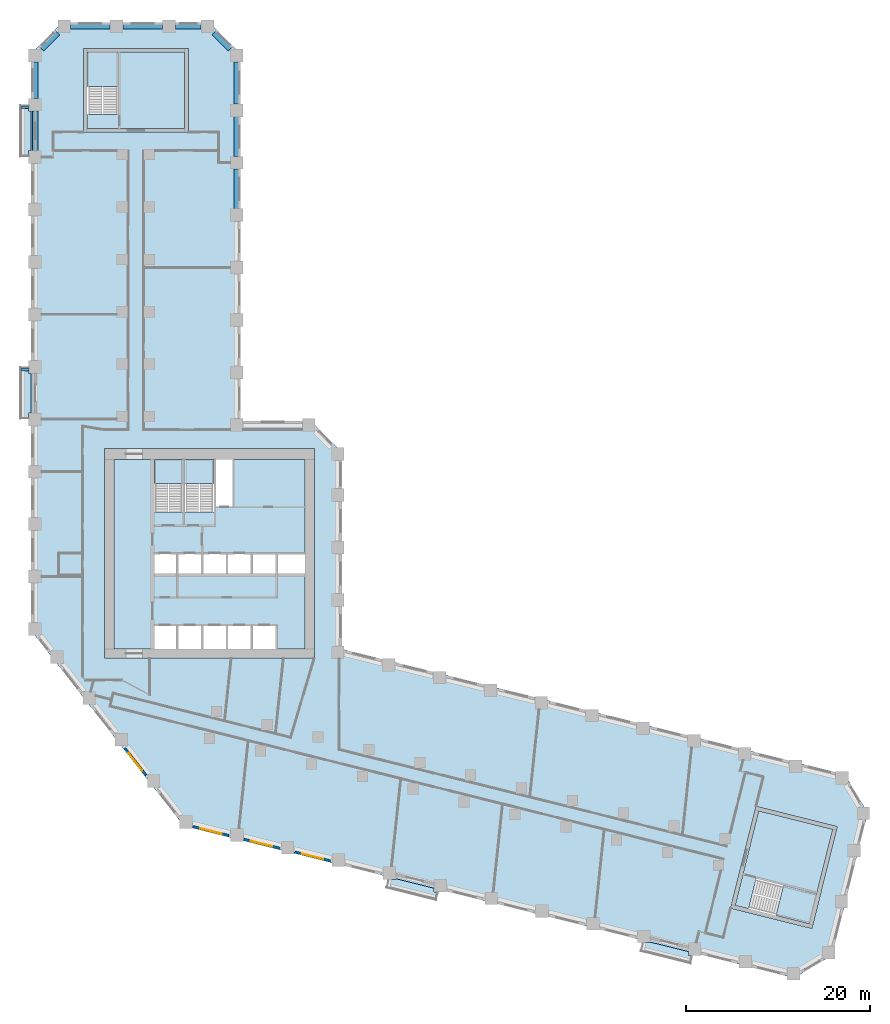
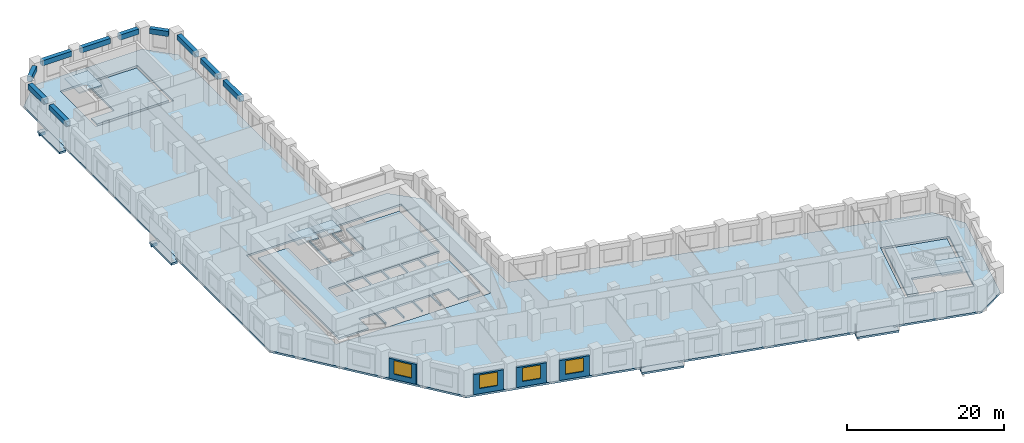
# One storey, part 2 of 11: 12 beams, 12 slabs, 4 walls, 4 windows, 4 openings, 4 elements without a shape of their own.
"""IFC4 building model written with IfcOpenShell, lengths in metres."""

from ifc_helpers import new_model, si_unit, direction, frame, frame_2d, origin, origin_2d, place, context, subcontext, project, spatial, polyline, rectangle, outline, extrude, material, layer, layer_set, material_profile, profile_set, type_object, element, fill, aggregate, save


model = new_model("IFC4")

# Units and contexts
model_context = context("Model", 3, precision=1e-05, world=origin(), true_north=direction((0.0, 1.0)))
body_context = subcontext(model_context, "Body", "Model", "MODEL_VIEW")
ifc_project = project(units=[si_unit("LENGTHUNIT", "METRE"), si_unit("AREAUNIT", "SQUARE_METRE"), si_unit("VOLUMEUNIT", "CUBIC_METRE"), si_unit("PLANEANGLEUNIT", "RADIAN"), si_unit("MASSUNIT", "GRAM", prefix="KILO")], contexts=[model_context])

# Site, building, storey
site_placement = place(None, origin())
site = spatial("IfcSite", under=ifc_project, at=site_placement, CompositionType="ELEMENT")
building_placement = place(site_placement, origin())
building = spatial("IfcBuilding", under=site, at=building_placement, Name="Meshkara Civic Tower", CompositionType="ELEMENT")
storey_placement = place(building_placement, frame((0.0, 0.0, 54.0)))
storey = spatial("IfcBuildingStorey", under=building, at=storey_placement, Name="L11", CompositionType="ELEMENT", Elevation=54.0)

# Beams
ifc_material_1 = material(Name="Concrete C50", Category="concrete")
ifc_material_profile_1 = material_profile(ifc_material_1, rectangle(XDim=0.25, YDim=0.39990234375, at=origin_2d()))
ifc_profile_set_1 = profile_set([ifc_material_profile_1], Name="Concrete C50")
beam_type_1 = type_object("IfcBeamType", Name="Balcony bracket beam RC 250x400 C50", PredefinedType="BEAM", material=ifc_profile_set_1)
for number, where, z_axis, x_axis, name in (
    (1, (-0.2451171875, 73.955078125, -0.5), (-1.0, 0.0, 0.0), (0.0, -1.0, 0.0), "Balcony bracket beam"),
    (2, (-0.2451171875, 45.455078125, -0.5), (-1.0, 0.0, 0.0), (0.0, -1.0, 0.0), "Balcony bracket beam"),
):
    element("IfcBeam", number, at=place(storey_placement, frame(where, z_axis=z_axis, x_axis=x_axis)), inside=storey, type_object=beam_type_1, Name=name, PredefinedType="BEAM", context=body_context, shape_type="SweptSolid", body=[
        extrude(rectangle(XDim=0.25, YDim=0.39990234375, at=origin_2d()), origin(), (0.0, 0.0, 1.0), 0.85498046875),
    ])
ifc_material_2 = material(Name="Concrete C70", Category="concrete")
ifc_material_profile_2 = material_profile(ifc_material_2, rectangle(XDim=0.60009765625, YDim=0.800048828125, at=origin_2d()))
ifc_profile_set_2 = profile_set([ifc_material_profile_2], Name="Concrete C70")
beam_type_2 = type_object("IfcBeamType", Name="Spandrel beam RC 600x800 C70", PredefinedType="BEAM", material=ifc_profile_set_2)
beam_1_placement = place(storey_placement, frame((22.35009765625, 62.945068359375, 3.5), z_axis=(0.0, 1.0, 0.0), x_axis=(-1.0, 0.0, 0.0)))
element("IfcBeam", 3, at=beam_1_placement, inside=storey, type_object=beam_type_2, Name="Spandrel beam AE04-AE05", PredefinedType="BEAM", context=body_context, shape_type="SweptSolid", body=[
    extrude(rectangle(XDim=0.60009765625, YDim=0.800048828125, at=origin_2d()), origin(), (0.0, 0.0, 1.0), 4.309814453125),
])
beam_2_placement = place(storey_placement, frame((22.35009765625, 68.64501953125, 3.5), z_axis=(0.0, 1.0, 0.0), x_axis=(-1.0, 0.0, 0.0)))
element("IfcBeam", 4, at=beam_2_placement, inside=storey, type_object=beam_type_2, Name="Spandrel beam AE05-AE06", PredefinedType="BEAM", context=body_context, shape_type="SweptSolid", body=[
    extrude(rectangle(XDim=0.60009765625, YDim=0.800048828125, at=origin_2d()), origin(), (0.0, 0.0, 1.0), 4.31005859375),
])
beam_3_placement = place(storey_placement, frame((22.35009765625, 74.344970703125, 3.5), z_axis=(0.0, 1.0, 0.0), x_axis=(-1.0, 0.0, 0.0)))
element("IfcBeam", 5, at=beam_3_placement, inside=storey, type_object=beam_type_2, Name="Spandrel beam AE06-AEE", PredefinedType="BEAM", context=body_context, shape_type="SweptSolid", body=[
    extrude(rectangle(XDim=0.60009765625, YDim=0.800048828125, at=origin_2d()), origin(), (0.0, 0.0, 1.0), 4.573974609375),
])
beam_4_placement = place(storey_placement, frame((21.653564453125, 80.310546875, 3.5), z_axis=(-0.707155737934, 0.70705782105, 0.0), x_axis=(-0.70705782105, -0.707155737934, 0.0)))
element("IfcBeam", 6, at=beam_4_placement, inside=storey, type_object=beam_type_2, Name="Spandrel beam AEE-ATiE", PredefinedType="BEAM", context=body_context, shape_type="SweptSolid", body=[
    extrude(rectangle(XDim=0.60009765625, YDim=0.800048828125, at=origin_2d()), origin(), (0.0, 0.0, 1.0), 2.493408203125),
])
beam_5_placement = place(storey_placement, frame((18.4990234375, 82.77001953125, 3.5), z_axis=(-1.0, 0.0, 0.0), x_axis=(0.0, -1.0, 0.0)))
element("IfcBeam", 7, at=beam_5_placement, inside=storey, type_object=beam_type_2, Name="Spandrel beam AT02-ATiE", PredefinedType="BEAM", context=body_context, shape_type="SweptSolid", body=[
    extrude(rectangle(XDim=0.60009765625, YDim=0.800048828125, at=origin_2d()), origin(), (0.0, 0.0, 1.0), 2.798095703125),
])
for number, where, z_axis, x_axis, name in (
    (8, (14.31103515625, 82.77001953125, 3.5), (-1.0, 0.0, 0.0), (0.0, -1.0, 0.0), "Spandrel beam AT01-AT02"),
    (9, (8.611083984375, 82.77001953125, 3.5), (-1.0, 0.0, 0.0), (0.0, -1.0, 0.0), "Spandrel beam AT00-AT01"),
):
    element("IfcBeam", number, at=place(storey_placement, frame(where, z_axis=z_axis, x_axis=x_axis)), inside=storey, type_object=beam_type_2, Name=name, PredefinedType="BEAM", context=body_context, shape_type="SweptSolid", body=[
        extrude(rectangle(XDim=0.60009765625, YDim=0.800048828125, at=origin_2d()), origin(), (0.0, 0.0, 1.0), 4.31005859375),
    ])
beam_6_placement = place(storey_placement, frame((2.909423828125, 82.073486328125, 3.5), z_axis=(-0.707106781187, -0.707106781187, 0.0), x_axis=(0.707106781187, -0.707106781187, 0.0)))
element("IfcBeam", 10, at=beam_6_placement, inside=storey, type_object=beam_type_2, Name="Spandrel beam AT00-ATo00", PredefinedType="BEAM", context=body_context, shape_type="SweptSolid", body=[
    extrude(rectangle(XDim=0.60009765625, YDim=0.800048828125, at=origin_2d()), origin(), (0.0, 0.0, 1.0), 2.4931640625),
])
beam_7_placement = place(storey_placement, frame((0.449951171875, 78.9189453125, 3.5), z_axis=(0.0, -1.0, 0.0), x_axis=(1.0, 0.0, 0.0)))
element("IfcBeam", 11, at=beam_7_placement, inside=storey, type_object=beam_type_2, Name="Spandrel beam ATo00-AW10", PredefinedType="BEAM", context=body_context, shape_type="SweptSolid", body=[
    extrude(rectangle(XDim=0.60009765625, YDim=0.800048828125, at=origin_2d()), origin(), (0.0, 0.0, 1.0), 3.968994140625),
])
beam_8_placement = place(storey_placement, frame((0.449951171875, 73.56005859375, 3.5), z_axis=(0.0, -1.0, 0.0), x_axis=(1.0, 0.0, 0.0)))
element("IfcBeam", 12, at=beam_8_placement, inside=storey, type_object=beam_type_2, Name="Spandrel beam AW09-AW10", PredefinedType="BEAM", context=body_context, shape_type="SweptSolid", body=[
    extrude(rectangle(XDim=0.60009765625, YDim=0.800048828125, at=origin_2d()), origin(), (0.0, 0.0, 1.0), 4.31005859375),
])

# Slabs
ifc_material_3 = material(Name="Concrete C40", Category="concrete")
ifc_layer_1 = layer(ifc_material_3, 0.300048828125)
ifc_layer_set_1 = layer_set([ifc_layer_1], Name="BALCONY SLAB")
slab_type_1 = type_object("IfcSlabType", Name="BALCONY SLAB", PredefinedType="FLOOR", material=ifc_layer_set_1)
slab_1_placement = place(storey_placement, frame((0.0, 0.0, -0.300048828125)))
element("IfcSlab", 13, at=slab_1_placement, inside=storey, type_object=slab_type_1, Name="Balcony slab", PredefinedType="FLOOR", context=body_context, shape_type="SweptSolid", body=[
    extrude(outline(polyline([(-1.199951171875, 68.614990234375), (-1.199951171875, 74.195068359375), (-0.25, 74.195068359375), (-0.25, 73.554931640625), (0.0, 73.554931640625), (0.0, 69.2548828125), (-0.25, 69.2548828125), (-0.25, 68.614990234375), (-1.199951171875, 68.614990234375)])), origin(), (0.0, 0.0, 1.0), 0.300048828125),
])
slab_2_placement = place(storey_placement, frame((0.0, 0.0, -0.300048828125)))
element("IfcSlab", 14, at=slab_2_placement, inside=storey, type_object=slab_type_1, Name="Balcony slab", PredefinedType="FLOOR", context=body_context, shape_type="SweptSolid", body=[
    extrude(outline(polyline([(-1.199951171875, 40.114990234375), (-1.199951171875, 45.695068359375), (-0.25, 45.695068359375), (-0.25, 45.054931640625), (0.0, 45.054931640625), (0.0, 40.7548828125), (-0.25, 40.7548828125), (-0.25, 40.114990234375), (-1.199951171875, 40.114990234375)])), origin(), (0.0, 0.0, 1.0), 0.300048828125),
])
slab_3_placement = place(storey_placement, frame((0.0, 0.0, -0.300048828125)))
element("IfcSlab", 15, at=slab_3_placement, inside=storey, type_object=slab_type_1, Name="Balcony slab", PredefinedType="FLOOR", context=body_context, shape_type="SweptSolid", body=[
    extrude(outline(polyline([(44.047119140625, -12.218994140625), (38.633056640625, -10.868896484375), (38.861083984375, -9.9541015625), (39.674072265625, -9.9541015625), (39.674072265625, -9.89208984375), (43.804931640625, -10.922119140625), (43.804931640625, -11.33203125), (44.26904296875, -11.33203125), (44.047119140625, -12.218994140625)])), origin(), (0.0, 0.0, 1.0), 0.300048828125),
])
slab_4_placement = place(storey_placement, frame((0.0, 0.0, -0.300048828125)))
element("IfcSlab", 16, at=slab_4_placement, inside=storey, type_object=slab_type_1, Name="Balcony slab", PredefinedType="FLOOR", context=body_context, shape_type="SweptSolid", body=[
    extrude(outline(polyline([(71.700927734375, -19.114013671875), (66.285888671875, -17.763916015625), (66.513916015625, -16.847900390625), (67.326904296875, -16.847900390625), (67.326904296875, -16.785888671875), (71.4580078125, -17.81591796875), (71.4580078125, -18.22705078125), (71.922119140625, -18.22705078125), (71.700927734375, -19.114013671875)])), origin(), (0.0, 0.0, 1.0), 0.300048828125),
])
ifc_material_4 = material(Name="Concrete C40/50", Category="concrete")
ifc_layer_2 = layer(ifc_material_4, 0.300048828125)
ifc_layer_set_2 = layer_set([ifc_layer_2], Name="Core floor slab 300 C40/50")
slab_type_2 = type_object("IfcSlabType", Name="Core floor slab 300 C40/50", PredefinedType="FLOOR", material=ifc_layer_set_2)
slab_5_placement = place(storey_placement, frame((0.0, 0.0, -0.300048828125)))
element("IfcSlab", 17, at=slab_5_placement, inside=storey, type_object=slab_type_2, Name="Core floor K", PredefinedType="FLOOR", context=body_context, shape_type="SweptSolid", body=[
    extrude(outline(polyline([(9.0, 35.699951171875), (13.39990234375, 35.699951171875), (13.39990234375, 30.00146484375), (16.5, 30.00146484375), (16.5, 35.699951171875), (16.699951171875, 35.699951171875), (16.699951171875, 30.00146484375), (19.89990234375, 30.00146484375), (19.89990234375, 35.699951171875), (20.10009765625, 35.699951171875), (20.10009765625, 30.574951171875), (21.925048828125, 30.574951171875), (21.925048828125, 35.699951171875), (29.800048828125, 35.699951171875), (29.800048828125, 25.39990234375), (26.800048828125, 25.39990234375), (26.800048828125, 23.300048828125), (29.800048828125, 23.300048828125), (29.800048828125, 15.10009765625), (26.60009765625, 15.10009765625), (26.60009765625, 17.60009765625), (24.10009765625, 17.60009765625), (24.10009765625, 15.10009765625), (23.89990234375, 15.10009765625), (23.89990234375, 17.60009765625), (21.39990234375, 17.60009765625), (21.39990234375, 15.10009765625), (21.199951171875, 15.10009765625), (21.199951171875, 17.60009765625), (18.699951171875, 17.60009765625), (18.699951171875, 15.10009765625), (18.5, 15.10009765625), (18.5, 17.60009765625), (16.0, 17.60009765625), (16.0, 15.10009765625), (15.800048828125, 15.10009765625), (15.800048828125, 17.60009765625), (13.39990234375, 17.60009765625), (13.39990234375, 15.10009765625), (9.0, 15.10009765625), (9.0, 35.699951171875)]), holes=[polyline([(13.39990234375, 25.39990234375), (13.39990234375, 23.300048828125), (15.800048828125, 23.300048828125), (15.800048828125, 25.39990234375), (13.39990234375, 25.39990234375)]), polyline([(18.5, 23.300048828125), (18.5, 25.39990234375), (16.0, 25.39990234375), (16.0, 23.300048828125), (18.5, 23.300048828125)]), polyline([(18.699951171875, 25.39990234375), (18.699951171875, 23.300048828125), (21.199951171875, 23.300048828125), (21.199951171875, 25.39990234375), (18.699951171875, 25.39990234375)]), polyline([(23.89990234375, 23.300048828125), (23.89990234375, 25.39990234375), (21.39990234375, 25.39990234375), (21.39990234375, 23.300048828125), (23.89990234375, 23.300048828125)]), polyline([(26.60009765625, 23.300048828125), (26.60009765625, 25.39990234375), (24.10009765625, 25.39990234375), (24.10009765625, 23.300048828125), (26.60009765625, 23.300048828125)])]), origin(), (0.0, 0.0, 1.0), 0.300048828125),
])
slab_6_placement = place(storey_placement, frame((0.0, 0.0, -0.300048828125)))
element("IfcSlab", 18, at=slab_6_placement, inside=storey, type_object=slab_type_2, Name="Core floor EA", PredefinedType="FLOOR", context=body_context, shape_type="SweptSolid", body=[
    extrude(outline(polyline([(16.699951171875, 71.669921875), (16.699951171875, 79.969970703125), (9.5, 79.969970703125), (9.5, 73.17138671875), (6.10009765625, 73.17138671875), (6.10009765625, 71.669921875), (16.699951171875, 71.669921875)])), origin(), (0.0, 0.0, 1.0), 0.300048828125),
])
slab_7_placement = place(storey_placement, frame((0.0, 0.0, -0.300048828125)))
element("IfcSlab", 19, at=slab_7_placement, inside=storey, type_object=slab_type_2, Name="Core floor EB", PredefinedType="FLOOR", context=body_context, shape_type="SweptSolid", body=[
    extrude(outline(polyline([(79.11181640625, -2.513671875), (87.165283203125, -4.521484375), (85.423583984375, -11.507568359375), (78.826904296875, -9.863037109375), (78.00439453125, -13.161865234375), (76.547607421875, -12.798583984375), (79.11181640625, -2.513671875)])), origin(), (0.0, 0.0, 1.0), 0.300048828125),
])

# Stair, slab
ifc_material_5 = material(Name="Precast concrete C40/50", Category="concrete")
stair_type_1 = type_object("IfcStairType", Name="Exit stair half-turn 24 risers precast", PredefinedType="HALF_TURN_STAIR", material=ifc_material_5)
stair_1_placement = place(storey_placement, origin())
stair_1 = element("IfcStair", 20, at=stair_1_placement, inside=storey, type_object=stair_type_1, Name="L11 exit stair 1", PredefinedType="HALF_TURN_STAIR")
ifc_material_6 = material(Name="Precast concrete C40/50", Category="concrete")
ifc_layer_3 = layer(ifc_material_6, 0.199951171875)
ifc_layer_set_3 = layer_set([ifc_layer_3], Name="Exit stair landing 200")
slab_type_3 = type_object("IfcSlabType", Name="Exit stair landing 200", PredefinedType="LANDING", material=ifc_layer_set_3)
slab_8_placement = place(storey_placement, frame((0.0, 0.0, 1.89990234375)))
slab_8 = element("IfcSlab", 21, at=slab_8_placement, type_object=slab_type_3, Name="ST1 landing 1", PredefinedType="LANDING", context=body_context, shape_type="SweptSolid", body=[
    extrude(outline(polyline([(16.5, 33.07861328125), (16.5, 35.699951171875), (13.39990234375, 35.699951171875), (13.39990234375, 33.07861328125), (16.5, 33.07861328125)])), origin(), (0.0, 0.0, 1.0), 0.2001953125),
])
aggregate(stair_1, [slab_8])

stair_2_placement = place(storey_placement, origin())
stair_2 = element("IfcStair", 22, at=stair_2_placement, inside=storey, type_object=stair_type_1, Name="L11 exit stair 2", PredefinedType="HALF_TURN_STAIR")
slab_9_placement = place(storey_placement, frame((0.0, 0.0, 1.89990234375)))
slab_9 = element("IfcSlab", 23, at=slab_9_placement, type_object=slab_type_3, Name="ST2 landing 1", PredefinedType="LANDING", context=body_context, shape_type="SweptSolid", body=[
    extrude(outline(polyline([(19.89990234375, 33.07861328125), (19.89990234375, 35.699951171875), (16.699951171875, 35.699951171875), (16.699951171875, 33.07861328125), (19.89990234375, 33.07861328125)])), origin(), (0.0, 0.0, 1.0), 0.2001953125),
])
aggregate(stair_2, [slab_9])

ifc_material_7 = material(Name="Precast concrete C40/50", Category="concrete")
stair_type_2 = type_object("IfcStairType", Name="Exit stair half-turn 24 risers 1500 precast", PredefinedType="HALF_TURN_STAIR", material=ifc_material_7)
stair_3_placement = place(storey_placement, origin())
stair_3 = element("IfcStair", 24, at=stair_3_placement, inside=storey, type_object=stair_type_2, Name="L11 exit stair A from B2", PredefinedType="HALF_TURN_STAIR")
slab_10_placement = place(storey_placement, frame((0.0, 0.0, 1.89990234375)))
slab_10 = element("IfcSlab", 25, at=slab_10_placement, type_object=slab_type_3, Name="ESA1 landing 1", PredefinedType="LANDING", context=body_context, shape_type="SweptSolid", body=[
    extrude(outline(polyline([(9.5, 76.24853515625), (9.5, 79.969970703125), (6.10009765625, 79.969970703125), (6.10009765625, 76.24853515625), (9.5, 76.24853515625)])), origin(), (0.0, 0.0, 1.0), 0.2001953125),
])
aggregate(stair_3, [slab_10])

stair_4_placement = place(storey_placement, origin())
stair_4 = element("IfcStair", 26, at=stair_4_placement, inside=storey, type_object=stair_type_2, Name="L11 exit stair B from B2", PredefinedType="HALF_TURN_STAIR")
slab_11_placement = place(storey_placement, frame((0.0, 0.0, 1.89990234375)))
slab_11 = element("IfcSlab", 27, at=slab_11_placement, type_object=slab_type_3, Name="ESB1 landing 1", PredefinedType="LANDING", context=body_context, shape_type="SweptSolid", body=[
    extrude(outline(polyline([(80.98974609375, -13.9072265625), (84.600830078125, -14.80810546875), (85.424072265625, -11.50830078125), (81.81298828125, -10.607421875), (80.98974609375, -13.9072265625)])), origin(), (0.0, 0.0, 1.0), 0.2001953125),
])
aggregate(stair_4, [slab_11])

# Slab
ifc_material_8 = material(Name="Concrete C50", Category="concrete")
ifc_layer_4 = layer(ifc_material_8, 0.300048828125)
ifc_layer_set_4 = layer_set([ifc_layer_4], Name="Post-tensioned flat slab 300 C50")
slab_type_4 = type_object("IfcSlabType", Name="Post-tensioned flat slab 300 C50", PredefinedType="FLOOR", material=ifc_layer_set_4)
slab_12_placement = place(storey_placement, frame((0.0, 0.0, -0.300048828125)))
element("IfcSlab", 28, at=slab_12_placement, inside=storey, type_object=slab_type_4, Name="Post-tensioned flat slab L11", PredefinedType="FLOOR", context=body_context, shape_type="SweptSolid", body=[
    extrude(outline(polyline([(87.10595703125, -18.193115234375), (82.9599609375, -20.68408203125), (16.592041015625, -4.136962890625), (0.0, 17.10009765625), (0.0, 79.800048828125), (3.419921875, 83.219970703125), (19.3798828125, 83.219970703125), (22.800048828125, 79.800048828125), (22.800048828125, 39.89990234375), (30.3798828125, 39.89990234375), (33.800048828125, 36.47998046875), (33.800048828125, 15.071044921875), (88.47607421875, 1.43798828125), (90.967041015625, -2.70703125), (87.10595703125, -18.193115234375)]), holes=[polyline([(84.89208984375, -15.2919921875), (87.64990234375, -4.22998046875), (78.821044921875, -2.029052734375), (76.06298828125, -13.090087890625), (84.89208984375, -15.2919921875)]), polyline([(8.0, 14.10009765625), (30.800048828125, 14.10009765625), (30.800048828125, 36.89990234375), (8.0, 36.89990234375), (8.0, 14.10009765625)]), polyline([(5.699951171875, 80.3701171875), (5.699951171875, 71.27001953125), (17.10009765625, 71.27001953125), (17.10009765625, 80.3701171875), (5.699951171875, 80.3701171875)])]), origin(), (0.0, 0.0, 1.0), 0.300048828125),
])

# Wall, opening, window
ifc_material_9 = material(Name="Insulated infill panel with bronze anodised aluminium cladding", Category="aluminium")
ifc_layer_5 = layer(ifc_material_9, 0.300048828125)
ifc_layer_set_5 = layer_set([ifc_layer_5], Name="EXTERNAL INFILL WALL 300")
wall_type = type_object("IfcWallType", Name="EXTERNAL INFILL WALL 300", PredefinedType="SOLIDWALL", material=ifc_layer_set_5)
wall_1_placement = place(storey_placement, frame((10.201904296875, 4.285888671875, 0.0), z_axis=(0.0, 0.0, 1.0), x_axis=(0.615636430057, -0.788030320474, 0.0)))
wall_1 = element("IfcWall", 29, at=wall_1_placement, inside=storey, type_object=wall_type, Name="External wall", PredefinedType="SOLIDWALL", context=body_context, shape_type="SweptSolid", body=[
    extrude(rectangle(XDim=3.734375, YDim=0.300048828125, at=frame_2d((1.8671875, 0.0))), origin(), (0.0, 0.0, 1.0), 3.10009765625),
])
opening_1_placement = place(wall_1_placement, frame((0.6669921875, 0.0, 0.800048828125)))
opening_1 = element("IfcOpeningElement", 30, at=opening_1_placement, cuts=wall_1, Name="Opening W7", PredefinedType="OPENING", context=body_context, shape_type="SweptSolid", body=[
    extrude(rectangle(XDim=2.39990234375, YDim=2.10009765625, at=frame_2d((1.199951171875, 1.050048828125))), frame((0.0, 0.159912109375, 0.0), z_axis=(0.0, -1.0, 0.0), x_axis=(1.0, 0.0, 0.0)), (0.0, 0.0, 1.0), 0.320068359375),
])
ifc_material_10 = material(Name="Tinted double glazing", Category="glass")
window_type = type_object("IfcWindowType", Name="WINDOW 2400x2100", PartitioningType="DOUBLE_PANEL_VERTICAL", PredefinedType="WINDOW", material=ifc_material_10)
window_1_placement = place(opening_1_placement, origin())
window_1 = element("IfcWindow", 31, at=window_1_placement, inside=storey, type_object=window_type, Name="Window", OverallHeight=2.10009765625, OverallWidth=2.39990234375, PartitioningType="DOUBLE_PANEL_VERTICAL", PredefinedType="WINDOW", context=body_context, shape_type="SweptSolid", body=[
    extrude(rectangle(XDim=2.39990234375, YDim=2.10009765625, at=frame_2d((1.199951171875, 1.050048828125))), frame((0.0, 0.030029296875, 0.0), z_axis=(0.0, -1.0, 0.0), x_axis=(1.0, 0.0, 0.0)), (0.0, 0.0, 1.0), 0.06005859375),
])
fill(opening_1, window_1)

wall_2_placement = place(storey_placement, frame((17.60205078125, -4.23388671875, 0.0), z_axis=(0.0, 0.0, 1.0), x_axis=(0.970260773365, -0.242062040951, 0.0)))
wall_2 = element("IfcWall", 32, at=wall_2_placement, inside=storey, type_object=wall_type, Name="External wall", PredefinedType="SOLIDWALL", context=body_context, shape_type="SweptSolid", body=[
    extrude(rectangle(XDim=4.003173828125, YDim=0.300048828125, at=frame_2d((2.00146484375, 0.0))), origin(), (0.0, 0.0, 1.0), 3.10009765625),
])
opening_2_placement = place(wall_2_placement, frame((0.802001953125, 0.0, 0.800048828125)))
opening_2 = element("IfcOpeningElement", 33, at=opening_2_placement, cuts=wall_2, Name="Opening W7", PredefinedType="OPENING", context=body_context, shape_type="SweptSolid", body=[
    extrude(rectangle(XDim=2.39990234375, YDim=2.10009765625, at=frame_2d((1.199951171875, 1.050048828125))), frame((0.0, 0.159912109375, 0.0), z_axis=(0.0, -1.0, 0.0), x_axis=(1.0, 0.0, 0.0)), (0.0, 0.0, 1.0), 0.320068359375),
])
window_2_placement = place(opening_2_placement, origin())
window_2 = element("IfcWindow", 34, at=window_2_placement, inside=storey, type_object=window_type, Name="Window", OverallHeight=2.10009765625, OverallWidth=2.39990234375, PartitioningType="DOUBLE_PANEL_VERTICAL", PredefinedType="WINDOW", context=body_context, shape_type="SweptSolid", body=[
    extrude(rectangle(XDim=2.39990234375, YDim=2.10009765625, at=frame_2d((1.199951171875, 1.050048828125))), frame((0.0, 0.030029296875, 0.0), z_axis=(0.0, -1.0, 0.0), x_axis=(1.0, 0.0, 0.0)), (0.0, 0.0, 1.0), 0.06005859375),
])
fill(opening_2, window_2)

wall_3_placement = place(storey_placement, frame((23.133056640625, -5.613037109375, 0.0), z_axis=(0.0, 0.0, 1.0), x_axis=(0.970303772127, -0.241889623168, 0.0)))
wall_3 = element("IfcWall", 35, at=wall_3_placement, inside=storey, type_object=wall_type, Name="External wall", PredefinedType="SOLIDWALL", context=body_context, shape_type="SweptSolid", body=[
    extrude(rectangle(XDim=4.001953125, YDim=0.300048828125, at=frame_2d((2.0009765625, 0.0))), origin(), (0.0, 0.0, 1.0), 3.10009765625),
])
opening_3_placement = place(wall_3_placement, frame((0.801025390625, 0.0, 0.800048828125)))
opening_3 = element("IfcOpeningElement", 36, at=opening_3_placement, cuts=wall_3, Name="Opening W7", PredefinedType="OPENING", context=body_context, shape_type="SweptSolid", body=[
    extrude(rectangle(XDim=2.39990234375, YDim=2.10009765625, at=frame_2d((1.199951171875, 1.050048828125))), frame((0.0, 0.159912109375, 0.0), z_axis=(0.0, -1.0, 0.0), x_axis=(1.0, 0.0, 0.0)), (0.0, 0.0, 1.0), 0.320068359375),
])
window_3_placement = place(opening_3_placement, origin())
window_3 = element("IfcWindow", 37, at=window_3_placement, inside=storey, type_object=window_type, Name="Window", OverallHeight=2.10009765625, OverallWidth=2.39990234375, PartitioningType="DOUBLE_PANEL_VERTICAL", PredefinedType="WINDOW", context=body_context, shape_type="SweptSolid", body=[
    extrude(rectangle(XDim=2.39990234375, YDim=2.10009765625, at=frame_2d((1.199951171875, 1.050048828125))), frame((0.0, 0.030029296875, 0.0), z_axis=(0.0, -1.0, 0.0), x_axis=(1.0, 0.0, 0.0)), (0.0, 0.0, 1.0), 0.06005859375),
])
fill(opening_3, window_3)

wall_4_placement = place(storey_placement, frame((28.6630859375, -6.991943359375, 0.0), z_axis=(0.0, 0.0, 1.0), x_axis=(0.970318045095, -0.24183236211, 0.0)))
wall_4 = element("IfcWall", 38, at=wall_4_placement, inside=storey, type_object=wall_type, Name="External wall", PredefinedType="SOLIDWALL", context=body_context, shape_type="SweptSolid", body=[
    extrude(rectangle(XDim=4.0029296875, YDim=0.300048828125, at=frame_2d((2.00146484375, 0.0))), origin(), (0.0, 0.0, 1.0), 3.10009765625),
])
opening_4_placement = place(wall_4_placement, frame((0.802001953125, 0.0, 0.800048828125)))
opening_4 = element("IfcOpeningElement", 39, at=opening_4_placement, cuts=wall_4, Name="Opening W7", PredefinedType="OPENING", context=body_context, shape_type="SweptSolid", body=[
    extrude(rectangle(XDim=2.39990234375, YDim=2.10009765625, at=frame_2d((1.199951171875, 1.050048828125))), frame((0.0, 0.159912109375, 0.0), z_axis=(0.0, -1.0, 0.0), x_axis=(1.0, 0.0, 0.0)), (0.0, 0.0, 1.0), 0.320068359375),
])
window_4_placement = place(opening_4_placement, origin())
window_4 = element("IfcWindow", 40, at=window_4_placement, inside=storey, type_object=window_type, Name="Window", OverallHeight=2.10009765625, OverallWidth=2.39990234375, PartitioningType="DOUBLE_PANEL_VERTICAL", PredefinedType="WINDOW", context=body_context, shape_type="SweptSolid", body=[
    extrude(rectangle(XDim=2.39990234375, YDim=2.10009765625, at=frame_2d((1.199951171875, 1.050048828125))), frame((0.0, 0.030029296875, 0.0), z_axis=(0.0, -1.0, 0.0), x_axis=(1.0, 0.0, 0.0)), (0.0, 0.0, 1.0), 0.06005859375),
])
fill(opening_4, window_4)

save(model, "model.ifc")
